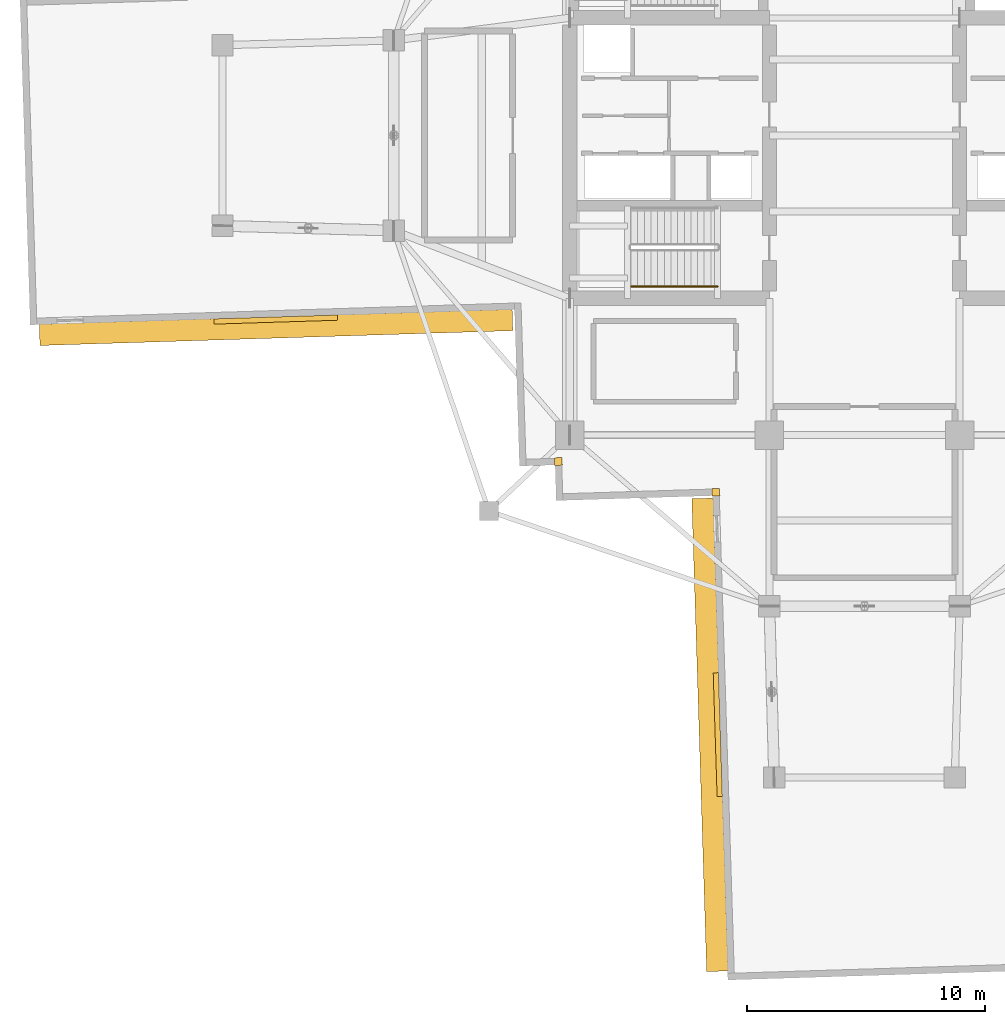
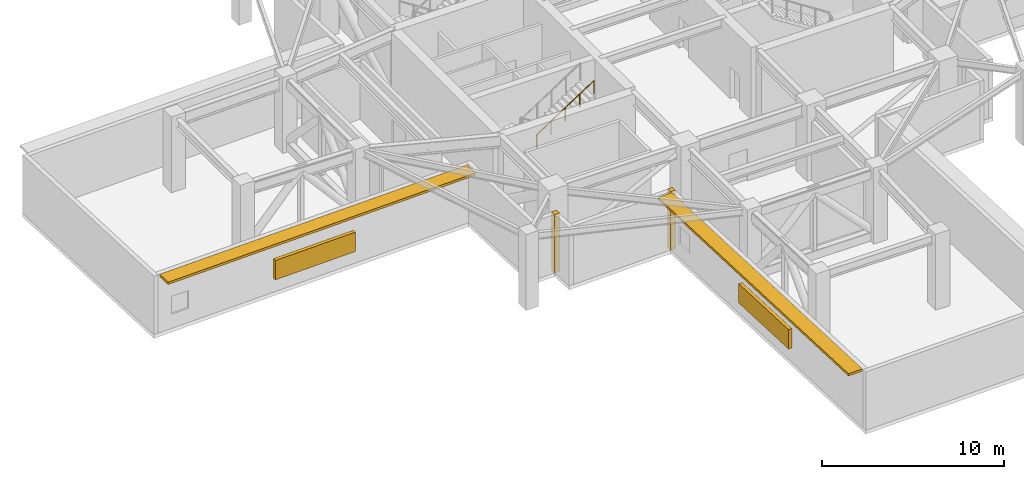
# One storey, part 13 of 17: 4 shading devices, 2 coverings, 1 railing.
"""IFC4 building model written with IfcOpenShell, lengths in metres."""

from ifc_helpers import new_model, si_unit, direction, frame, origin, origin_2d, place, context, subcontext, project, spatial, rectangle, circle, extrude, material, layer, layer_set, type_object, element, save


model = new_model("IFC4")

# Units and contexts
model_context = context("Model", 3, precision=1e-05, world=origin(), true_north=direction((0.0, 1.0)))
body_context = subcontext(model_context, "Body", "Model", "MODEL_VIEW")
ifc_project = project(units=[si_unit("LENGTHUNIT", "METRE"), si_unit("AREAUNIT", "SQUARE_METRE"), si_unit("VOLUMEUNIT", "CUBIC_METRE"), si_unit("PLANEANGLEUNIT", "RADIAN"), si_unit("MASSUNIT", "GRAM", prefix="KILO")], contexts=[model_context])

# Site, building, storey
site_placement = place(None, origin())
site = spatial("IfcSite", under=ifc_project, at=site_placement, CompositionType="ELEMENT")
building_placement = place(site_placement, origin())
building = spatial("IfcBuilding", under=site, at=building_placement, Name="Qingluan Cross Belvedere", CompositionType="ELEMENT")
storey_placement = place(building_placement, frame((0.0, 0.0, 191.699951171875)))
storey = spatial("IfcBuildingStorey", under=building, at=storey_placement, Name="L48", CompositionType="ELEMENT", Elevation=191.699951171875)

# Coverings
ifc_material_1 = material(Name="Precast concrete C45", Category="concrete")
ifc_layer_1 = layer(ifc_material_1, 0.1201171875, Name="ConcreteSpandrelCladding_120")
ifc_layer_set_1 = layer_set([ifc_layer_1], Name="Precast concrete C45")
covering_type = type_object("IfcCoveringType", Name="ConcreteSpandrelCladding_120", PredefinedType="CLADDING", material=ifc_layer_set_1)
for number, where, z_axis, x_axis, name in (
    (1, (-12.875732421875, -13.711181640625, 0.0), (0.0, 0.0, 1.0), (0.999506560366, 0.031410759078, 0.0), "Corner closure L48-SW1"),
    (2, (-6.251708984375, -15.00390625, 0.0), (0.0, 0.0, 1.0), (0.999506560366, 0.031410759078, 0.0), "Corner closure L48-SW2"),
):
    element("IfcCovering", number, at=place(storey_placement, frame(where, z_axis=z_axis, x_axis=x_axis)), inside=storey, type_object=covering_type, Name=name, PredefinedType="CLADDING", context=body_context, shape_type="SweptSolid", body=[
        extrude(rectangle(XDim=0.320068359375, YDim=0.320068359375, at=origin_2d()), origin(), (0.0, 0.0, 1.0), 3.929931640625),
    ])

# Shading devices
ifc_material_2 = material(Name="Precast concrete C45", Category="concrete")
ifc_layer_2 = layer(ifc_material_2, 0.159912109375, Name="ConcreteSunshadeBand_900")
ifc_layer_set_2 = layer_set([ifc_layer_2], Name="Precast concrete C45")
shading_device_type_1 = type_object("IfcShadingDeviceType", Name="ConcreteSunshadeBand_900", PredefinedType="USERDEFINED", material=ifc_layer_set_2)
for number, where, z_axis, x_axis, name in (
    (3, (-24.74853515625, -8.0712890625, 3.75), (0.0, 0.0, 1.0), (0.999506649124, 0.031407934627, 0.0), "Concrete SUNSHADE L48-WB"),
    (4, (-6.50146484375, -25.206787109375, 3.75), (0.0, 0.0, 1.0), (0.031407934627, -0.999506649124, 0.0), "Concrete SUNSHADE L48-SA"),
):
    element("IfcShadingDevice", number, at=place(storey_placement, frame(where, z_axis=z_axis, x_axis=x_axis)), inside=storey, type_object=shading_device_type_1, Name=name, ObjectType="SUNSHADE", PredefinedType="USERDEFINED", context=body_context, shape_type="SweptSolid", body=[
        extrude(rectangle(XDim=19.89990234375, YDim=0.89990234375, at=origin_2d()), origin(), (0.0, 0.0, 1.0), 0.159912109375),
    ])
ifc_material_3 = material(Name="Anodised aluminium acoustic louvre screen", Category="aluminium")
ifc_layer_3 = layer(ifc_material_3, 0.219970703125, Name="RefugeAcousticLouvre_Screen")
ifc_layer_set_3 = layer_set([ifc_layer_3], Name="Anodised aluminium acoustic louvre screen")
shading_device_type_2 = type_object("IfcShadingDeviceType", Name="RefugeAcousticLouvre_Screen", PredefinedType="JALOUSIE", material=ifc_layer_set_3)
for number, where, z_axis, x_axis, name in (
    (5, (-24.759033203125, -7.741455078125, 0.9501953125), (0.0, 0.0, 1.0), (0.999506649124, 0.031407934627, 0.0), "Plant acoustic louvre SCREEN L48-WB"),
    (6, (-6.171630859375, -25.1962890625, 0.9501953125), (0.0, 0.0, 1.0), (0.031407934627, -0.999506649124, 0.0), "Plant acoustic louvre SCREEN L48-SA"),
):
    element("IfcShadingDevice", number, at=place(storey_placement, frame(where, z_axis=z_axis, x_axis=x_axis)), inside=storey, type_object=shading_device_type_2, Name=name, PredefinedType="JALOUSIE", context=body_context, shape_type="SweptSolid", body=[
        extrude(rectangle(XDim=5.199951171875, YDim=0.219970703125, at=origin_2d()), origin(), (0.0, 0.0, 1.0), 1.300048828125),
    ])

# Railing
ifc_material_4 = material(Name="Brushed stainless steel tubular handrail", Category="steel")
railing_type = type_object("IfcRailingType", Name="StairPitchHandrail_900", PredefinedType="HANDRAIL", material=ifc_material_4)
railing_placement = place(storey_placement, frame((-9.820068359375, -6.35009765625, 2.732177734375)))
element("IfcRailing", 7, at=railing_placement, inside=storey, type_object=railing_type, Name="L48 ST1 stair handrail 2", PredefinedType="HANDRAIL", context=body_context, shape_type="SweptSolid", body=[
    extrude(circle(Radius=0.02392578125, at=origin_2d()), frame((0.0, 0.0, 0.8759765625), z_axis=(0.83825089185, 0.0, 0.545284735081), x_axis=(0.0, 1.0, 0.0)), (0.0, 0.0, 1.0), 4.342529296875),
    extrude(circle(Radius=0.02099609375, at=origin_2d()), origin(), (0.0, 0.0, 1.0), 0.851806640625),
    extrude(circle(Radius=0.02099609375, at=origin_2d()), frame((0.91015625, 0.0, 0.592041015625)), (0.0, 0.0, 1.0), 0.851806640625),
    extrude(circle(Radius=0.02099609375, at=origin_2d()), frame((1.820068359375, 0.0, 1.18408203125)), (0.0, 0.0, 1.0), 0.851806640625),
    extrude(circle(Radius=0.02099609375, at=origin_2d()), frame((2.72998046875, 0.0, 1.77587890625)), (0.0, 0.0, 1.0), 0.851806640625),
    extrude(circle(Radius=0.02099609375, at=origin_2d()), frame((3.64013671875, 0.0, 2.367919921875)), (0.0, 0.0, 1.0), 0.851806640625),
])

save(model, "model.ifc")
